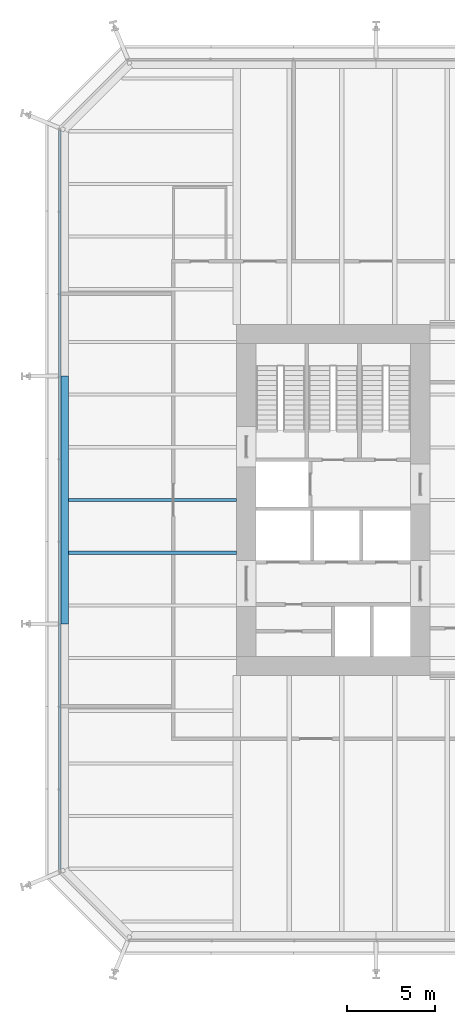
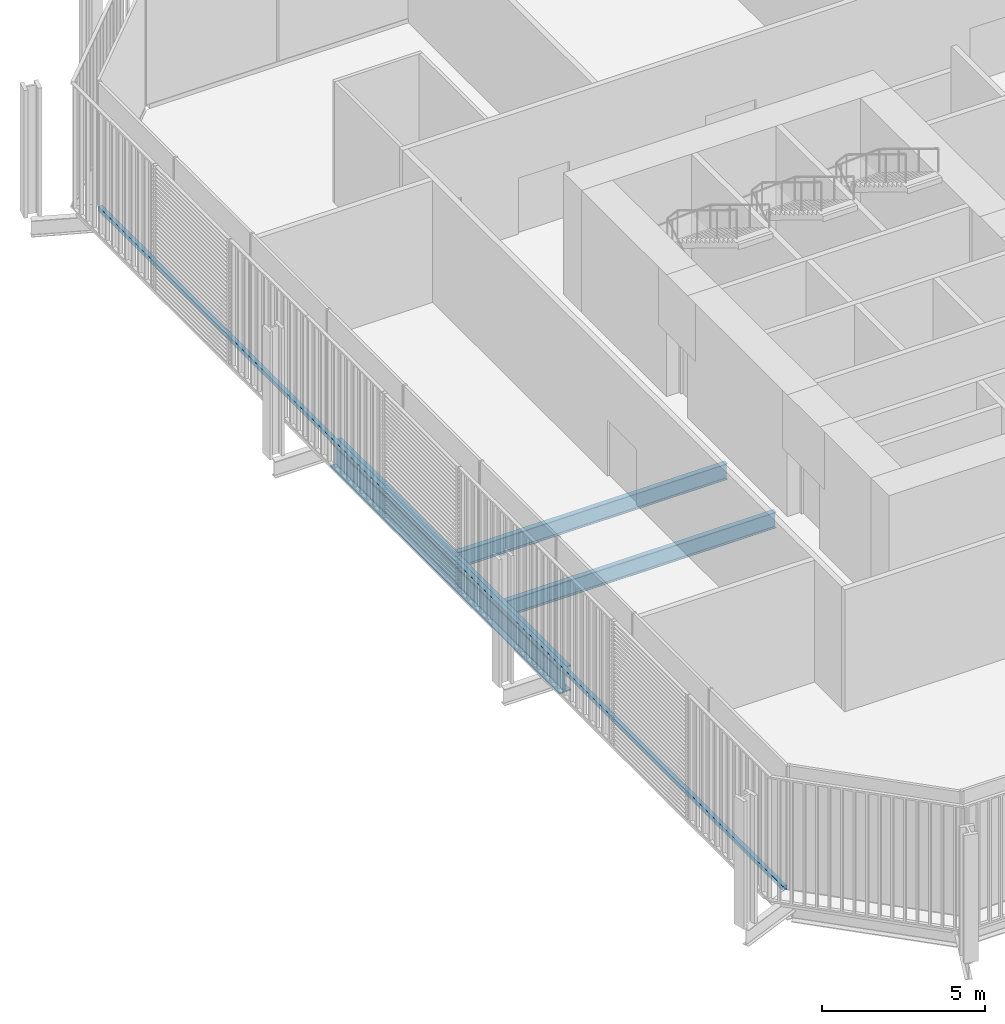
# One storey, part 6 of 22: 3 beams, 1 member, 1 element without a shape of its own.
"""IFC4 building model written with IfcOpenShell, lengths in metres."""

from ifc_helpers import new_model, si_unit, direction, frame, origin, origin_2d, place, context, subcontext, project, spatial, rectangle, i_section, extrude, material, layer, layer_set, material_profile, profile_set, type_object, element, aggregate, save


model = new_model("IFC4")

# Units and contexts
model_context = context("Model", 3, precision=1e-05, world=origin(), true_north=direction((0.0, 1.0)))
body_context = subcontext(model_context, "Body", "Model", "MODEL_VIEW")
ifc_project = project(units=[si_unit("LENGTHUNIT", "METRE"), si_unit("AREAUNIT", "SQUARE_METRE"), si_unit("VOLUMEUNIT", "CUBIC_METRE"), si_unit("PLANEANGLEUNIT", "RADIAN"), si_unit("MASSUNIT", "GRAM", prefix="KILO")], contexts=[model_context])

# Site, building, storey
site_placement = place(None, origin())
site = spatial("IfcSite", under=ifc_project, at=site_placement, CompositionType="ELEMENT")
building_placement = place(site_placement, origin())
building = spatial("IfcBuilding", under=site, at=building_placement, Name="Millrace Tower", CompositionType="ELEMENT")
storey_placement = place(building_placement, frame((0.0, 0.0, 40.10009765625)))
storey = spatial("IfcBuildingStorey", under=building, at=storey_placement, Name="L09", CompositionType="ELEMENT", Elevation=40.10009765625)

# Curtain wall, member
ifc_material_1 = material(Name="Aluminium and glass", Category="aluminium")
ifc_layer = layer(ifc_material_1, 0.14990234375)
ifc_layer_set = layer_set([ifc_layer], Name="Aluminium and glass")
curtain_wall_type = type_object("IfcCurtainWallType", Name="CW-2 data hall insulated curtain wall", PredefinedType="NOTDEFINED", material=ifc_layer_set)
curtain_wall_placement = place(storey_placement, origin())
curtain_wall = element("IfcCurtainWall", 1, at=curtain_wall_placement, inside=storey, type_object=curtain_wall_type, Name="Curtain wall A-F08 L09", PredefinedType="NOTDEFINED")
ifc_material_2 = material(Name="Aluminium", Category="aluminium")
ifc_material_profile_1 = material_profile(ifc_material_2, rectangle(XDim=0.14990234375, YDim=0.159912109375, at=origin_2d()))
ifc_profile_set_1 = profile_set([ifc_material_profile_1], Name="Aluminium")
member_type = type_object("IfcMemberType", Name="CW-2 data hall insulated curtain wall transom", PredefinedType="USERDEFINED", material=ifc_profile_set_1)
member_placement = place(storey_placement, frame((-25.074951171875, 21.050048828125, 0.079833984375), z_axis=(0.0, -1.0, 0.0), x_axis=(1.0, 0.0, 0.0)))
member = element("IfcMember", 2, at=member_placement, type_object=member_type, Name="CW2 transom A-F08.1", ObjectType="TRANSOM", PredefinedType="USERDEFINED", context=body_context, shape_type="SweptSolid", body=[
    extrude(rectangle(XDim=0.14990234375, YDim=0.159912109375, at=origin_2d()), origin(), (0.0, 0.0, 1.0), 42.10009765625),
])
aggregate(curtain_wall, [member])

# Beams
ifc_material_3 = material(Name="Steel ASTM A992 Grade 50", Category="steel")
ifc_material_profile_2 = material_profile(ifc_material_3, i_section(OverallWidth=0.1787109375, OverallDepth=0.60205078125, WebThickness=0.010986328125, FlangeThickness=0.014892578125, FilletRadius=0.0126953125, at=origin_2d()))
ifc_profile_set_2 = profile_set([ifc_material_profile_2], Name="Steel ASTM A992 Grade 50")
beam_type_1 = type_object("IfcBeamType", Name="Floor beam W24x62", PredefinedType="JOIST", material=ifc_profile_set_2)
for number, where, z_axis, x_axis, name in (
    (3, (-24.578369140625, -3.0, -0.526123046875), (1.0, 0.0, 0.0), (0.0, 1.0, 0.0), "BM-A-L09-S1-S018"),
    (4, (-24.578369140625, 0.0, -0.526123046875), (1.0, 0.0, 0.0), (0.0, 1.0, 0.0), "BM-A-L09-S1-S021"),
):
    element("IfcBeam", number, at=place(storey_placement, frame(where, z_axis=z_axis, x_axis=x_axis)), inside=storey, type_object=beam_type_1, Name=name, PredefinedType="JOIST", context=body_context, shape_type="SweptSolid", body=[
        extrude(i_section(OverallWidth=0.1787109375, OverallDepth=0.60205078125, WebThickness=0.010986328125, FlangeThickness=0.014892578125, FilletRadius=0.0126953125, at=origin_2d()), origin(), (0.0, 0.0, 1.0), 9.578369140625),
    ])
ifc_material_4 = material(Name="Steel ASTM A992 Grade 50", Category="steel")
ifc_material_profile_3 = material_profile(ifc_material_4, i_section(OverallWidth=0.421630859375, OverallDepth=0.937255859375, WebThickness=0.021240234375, FlangeThickness=0.03662109375, FilletRadius=0.024169921875, at=origin_2d()))
ifc_profile_set_3 = profile_set([ifc_material_profile_3], Name="Steel ASTM A992 Grade 50")
beam_type_2 = type_object("IfcBeamType", Name="Ring beam medium span W36x262", PredefinedType="SPANDREL", material=ifc_profile_set_3)
beam_placement = place(storey_placement, frame((-24.7890625, -7.050048828125, -0.69384765625), z_axis=(0.0, 1.0, 0.0), x_axis=(-1.0, 0.0, 0.0)))
element("IfcBeam", 5, at=beam_placement, inside=storey, type_object=beam_type_2, Name="RNG-A-L09-S1-02", PredefinedType="SPANDREL", context=body_context, shape_type="SweptSolid", body=[
    extrude(i_section(OverallWidth=0.421630859375, OverallDepth=0.937255859375, WebThickness=0.021240234375, FlangeThickness=0.03662109375, FilletRadius=0.024169921875, at=origin_2d()), origin(), (0.0, 0.0, 1.0), 14.10009765625),
])

save(model, "model.ifc")
